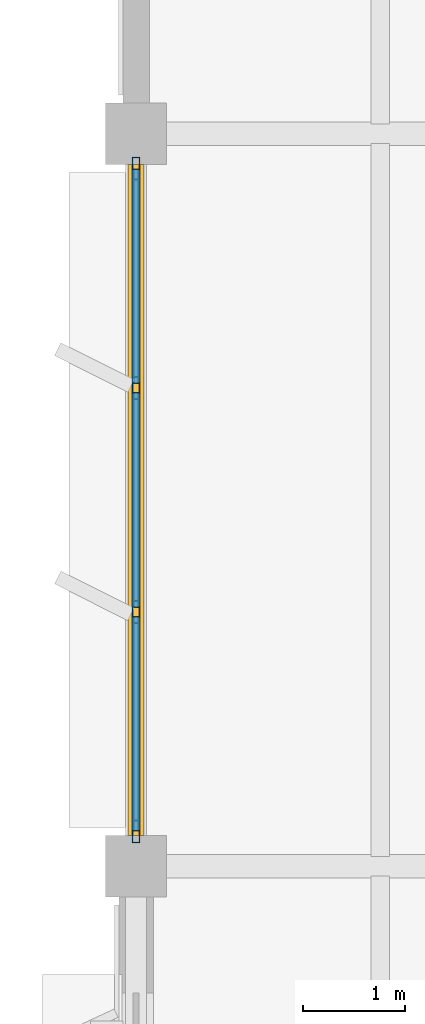
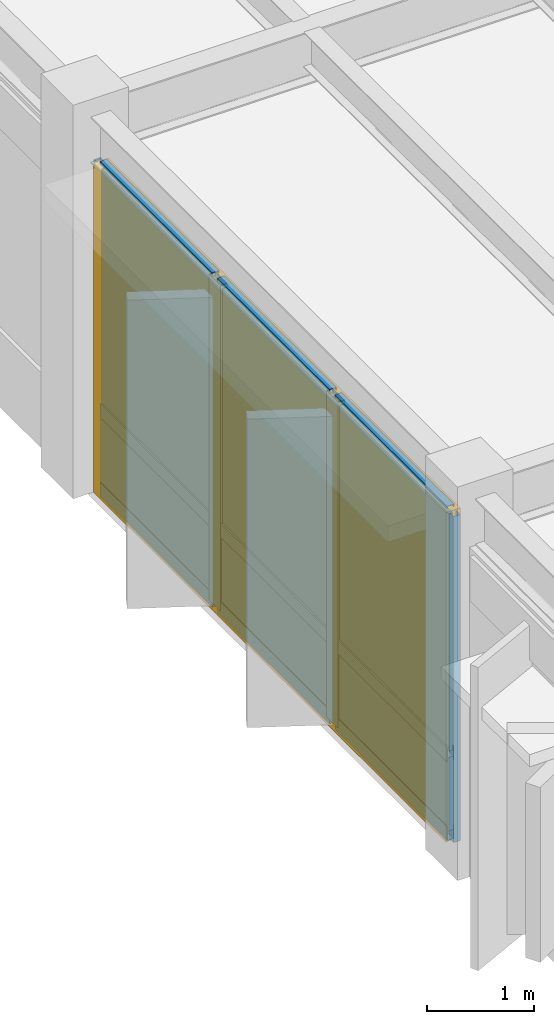
# One storey, part 51 of 92: 13 members, 6 plates, 1 curtain wall.
"""IFC4 building model written with IfcOpenShell, lengths in metres."""

from ifc_helpers import new_model, si_unit, direction, frame, origin, origin_2d, place, context, subcontext, project, spatial, rectangle, hollow_rectangle, extrude, material, layer, layer_set, material_profile, profile_set, type_object, element, aggregate, save


model = new_model("IFC4")

# Units and contexts
model_context = context("Model", 3, precision=1e-05, world=origin(), true_north=direction((0.0, 1.0)))
body_context = subcontext(model_context, "Body", "Model", "MODEL_VIEW")
ifc_project = project(units=[si_unit("LENGTHUNIT", "METRE"), si_unit("AREAUNIT", "SQUARE_METRE"), si_unit("VOLUMEUNIT", "CUBIC_METRE"), si_unit("PLANEANGLEUNIT", "RADIAN"), si_unit("MASSUNIT", "GRAM", prefix="KILO")], contexts=[model_context])

# Member
ifc_material_1 = material(Name="Anodized Aluminium 6063-T6", Category="aluminium")
ifc_material_profile_1 = material_profile(ifc_material_1, hollow_rectangle(XDim=0.074951171875, YDim=0.219970703125, WallThickness=0.0048828125, at=origin_2d()), Name="ALU 75x220x5")
ifc_profile_set_1 = profile_set([ifc_material_profile_1], Name="Anodized Aluminium 6063-T6")
member_type_1 = type_object("IfcMemberType", Name="CWM-75X180", PredefinedType="MULLION", material=ifc_profile_set_1)
site_placement = place(None, origin())
building_placement = place(site_placement, origin())
storey_placement = place(building_placement, frame((0.0, 0.0, 5.39990234375)))
member_1_placement = place(storey_placement, frame((7.199951171875, 50.739990234375, 0.02001953125), z_axis=(0.0, 0.0, 1.0), x_axis=(1.0, 0.0, 0.0)))
member_1 = element("IfcMember", 1, at=member_1_placement, type_object=member_type_1, Name="Curtain wall mullion CW-L02-01-07-W-00", PredefinedType="MULLION", context=body_context, shape_type="SweptSolid", body=[
    extrude(hollow_rectangle(XDim=0.074951171875, YDim=0.219970703125, WallThickness=0.0048828125, at=origin_2d()), origin(), (0.0, 0.0, 1.0), 3.72705078125),
])

member_2_placement = place(storey_placement, frame((7.199951171875, 52.89990234375, 0.02001953125), z_axis=(0.0, 0.0, 1.0), x_axis=(1.0, 0.0, 0.0)))
member_2 = element("IfcMember", 2, at=member_2_placement, type_object=member_type_1, Name="Curtain wall mullion CW-L02-01-07-W-01", PredefinedType="MULLION", context=body_context, shape_type="SweptSolid", body=[
    extrude(hollow_rectangle(XDim=0.074951171875, YDim=0.219970703125, WallThickness=0.0048828125, at=origin_2d()), origin(), (0.0, 0.0, 1.0), 3.72705078125),
])

member_3_placement = place(storey_placement, frame((7.199951171875, 55.10009765625, 0.02001953125), z_axis=(0.0, 0.0, 1.0), x_axis=(1.0, 0.0, 0.0)))
member_3 = element("IfcMember", 3, at=member_3_placement, type_object=member_type_1, Name="Curtain wall mullion CW-L02-01-07-W-02", PredefinedType="MULLION", context=body_context, shape_type="SweptSolid", body=[
    extrude(hollow_rectangle(XDim=0.074951171875, YDim=0.219970703125, WallThickness=0.0048828125, at=origin_2d()), origin(), (0.0, 0.0, 1.0), 3.72705078125),
])

member_4_placement = place(storey_placement, frame((7.199951171875, 57.260009765625, 0.02001953125), z_axis=(0.0, 0.0, 1.0), x_axis=(1.0, 0.0, 0.0)))
member_4 = element("IfcMember", 4, at=member_4_placement, type_object=member_type_1, Name="Curtain wall mullion CW-L02-01-07-W-03", PredefinedType="MULLION", context=body_context, shape_type="SweptSolid", body=[
    extrude(hollow_rectangle(XDim=0.074951171875, YDim=0.219970703125, WallThickness=0.0048828125, at=origin_2d()), origin(), (0.0, 0.0, 1.0), 3.72705078125),
])

ifc_material_profile_2 = material_profile(ifc_material_1, hollow_rectangle(XDim=0.074951171875, YDim=0.159912109375, WallThickness=0.00390625, at=origin_2d()), Name="ALU 75x160x4")
ifc_profile_set_2 = profile_set([ifc_material_profile_2], Name="Anodized Aluminium 6063-T6")
member_type_2 = type_object("IfcMemberType", Name="CWT-75X150", PredefinedType="USERDEFINED", material=ifc_profile_set_2)
member_5_placement = place(storey_placement, frame((7.199951171875, 50.75, 0.050048828125), z_axis=(0.0, 1.0, 0.0), x_axis=(-1.0, 0.0, 0.0)))
member_5 = element("IfcMember", 5, at=member_5_placement, type_object=member_type_2, Name="Curtain wall transom CW-L02-01-07-W-1.01", ObjectType="TRANSOM", PredefinedType="USERDEFINED", context=body_context, shape_type="SweptSolid", body=[
    extrude(hollow_rectangle(XDim=0.074951171875, YDim=0.159912109375, WallThickness=0.00390625, at=origin_2d()), origin(), (0.0, 0.0, 1.0), 2.10009765625),
])

member_6_placement = place(storey_placement, frame((7.199951171875, 52.949951171875, 0.050048828125), z_axis=(0.0, 1.0, 0.0), x_axis=(-1.0, 0.0, 0.0)))
member_6 = element("IfcMember", 6, at=member_6_placement, type_object=member_type_2, Name="Curtain wall transom CW-L02-01-07-W-1.02", ObjectType="TRANSOM", PredefinedType="USERDEFINED", context=body_context, shape_type="SweptSolid", body=[
    extrude(hollow_rectangle(XDim=0.074951171875, YDim=0.159912109375, WallThickness=0.00390625, at=origin_2d()), origin(), (0.0, 0.0, 1.0), 2.10009765625),
])

member_7_placement = place(storey_placement, frame((7.199951171875, 55.14990234375, 0.050048828125), z_axis=(0.0, 1.0, 0.0), x_axis=(-1.0, 0.0, 0.0)))
member_7 = element("IfcMember", 7, at=member_7_placement, type_object=member_type_2, Name="Curtain wall transom CW-L02-01-07-W-1.03", ObjectType="TRANSOM", PredefinedType="USERDEFINED", context=body_context, shape_type="SweptSolid", body=[
    extrude(hollow_rectangle(XDim=0.074951171875, YDim=0.159912109375, WallThickness=0.00390625, at=origin_2d()), origin(), (0.0, 0.0, 1.0), 2.10009765625),
])

member_8_placement = place(storey_placement, frame((7.199951171875, 50.75, 0.9501953125), z_axis=(0.0, 1.0, 0.0), x_axis=(-1.0, 0.0, 0.0)))
member_8 = element("IfcMember", 8, at=member_8_placement, type_object=member_type_2, Name="Curtain wall transom CW-L02-01-07-W-2.01", ObjectType="TRANSOM", PredefinedType="USERDEFINED", context=body_context, shape_type="SweptSolid", body=[
    extrude(hollow_rectangle(XDim=0.074951171875, YDim=0.159912109375, WallThickness=0.00390625, at=origin_2d()), origin(), (0.0, 0.0, 1.0), 2.10009765625),
])

member_9_placement = place(storey_placement, frame((7.199951171875, 52.949951171875, 0.9501953125), z_axis=(0.0, 1.0, 0.0), x_axis=(-1.0, 0.0, 0.0)))
member_9 = element("IfcMember", 9, at=member_9_placement, type_object=member_type_2, Name="Curtain wall transom CW-L02-01-07-W-2.02", ObjectType="TRANSOM", PredefinedType="USERDEFINED", context=body_context, shape_type="SweptSolid", body=[
    extrude(hollow_rectangle(XDim=0.074951171875, YDim=0.159912109375, WallThickness=0.00390625, at=origin_2d()), origin(), (0.0, 0.0, 1.0), 2.10009765625),
])

member_10_placement = place(storey_placement, frame((7.199951171875, 55.14990234375, 0.9501953125), z_axis=(0.0, 1.0, 0.0), x_axis=(-1.0, 0.0, 0.0)))
member_10 = element("IfcMember", 10, at=member_10_placement, type_object=member_type_2, Name="Curtain wall transom CW-L02-01-07-W-2.03", ObjectType="TRANSOM", PredefinedType="USERDEFINED", context=body_context, shape_type="SweptSolid", body=[
    extrude(hollow_rectangle(XDim=0.074951171875, YDim=0.159912109375, WallThickness=0.00390625, at=origin_2d()), origin(), (0.0, 0.0, 1.0), 2.10009765625),
])

member_11_placement = place(storey_placement, frame((7.199951171875, 50.75, 3.717041015625), z_axis=(0.0, 1.0, 0.0), x_axis=(-1.0, 0.0, 0.0)))
member_11 = element("IfcMember", 11, at=member_11_placement, type_object=member_type_2, Name="Curtain wall transom CW-L02-01-07-W-3.01", ObjectType="TRANSOM", PredefinedType="USERDEFINED", context=body_context, shape_type="SweptSolid", body=[
    extrude(hollow_rectangle(XDim=0.074951171875, YDim=0.159912109375, WallThickness=0.00390625, at=origin_2d()), origin(), (0.0, 0.0, 1.0), 2.10009765625),
])

member_12_placement = place(storey_placement, frame((7.199951171875, 52.949951171875, 3.717041015625), z_axis=(0.0, 1.0, 0.0), x_axis=(-1.0, 0.0, 0.0)))
member_12 = element("IfcMember", 12, at=member_12_placement, type_object=member_type_2, Name="Curtain wall transom CW-L02-01-07-W-3.02", ObjectType="TRANSOM", PredefinedType="USERDEFINED", context=body_context, shape_type="SweptSolid", body=[
    extrude(hollow_rectangle(XDim=0.074951171875, YDim=0.159912109375, WallThickness=0.00390625, at=origin_2d()), origin(), (0.0, 0.0, 1.0), 2.10009765625),
])

member_13_placement = place(storey_placement, frame((7.199951171875, 55.14990234375, 3.717041015625), z_axis=(0.0, 1.0, 0.0), x_axis=(-1.0, 0.0, 0.0)))
member_13 = element("IfcMember", 13, at=member_13_placement, type_object=member_type_2, Name="Curtain wall transom CW-L02-01-07-W-3.03", ObjectType="TRANSOM", PredefinedType="USERDEFINED", context=body_context, shape_type="SweptSolid", body=[
    extrude(hollow_rectangle(XDim=0.074951171875, YDim=0.159912109375, WallThickness=0.00390625, at=origin_2d()), origin(), (0.0, 0.0, 1.0), 2.10009765625),
])

# Plate
ifc_material_2 = material(Name="Acoustic Laminated Low-E Glazing", Category="glass")
ifc_layer_1 = layer(ifc_material_2, 0.0439453125)
ifc_layer_set_1 = layer_set([ifc_layer_1], Name="Acoustic Laminated Low-E Glazing")
plate_type_1 = type_object("IfcPlateType", Name="CWP-IGU-44", PredefinedType="CURTAIN_PANEL", material=ifc_layer_set_1)
plate_1_placement = place(storey_placement, frame((7.199951171875, 51.800048828125, 0.990234375), z_axis=(0.0, 0.0, 1.0), x_axis=(0.0, 1.0, 0.0)))
plate_1 = element("IfcPlate", 14, at=plate_1_placement, type_object=plate_type_1, Name="Curtain wall vision glazing CW-L02-01-07-W-01", PredefinedType="CURTAIN_PANEL", context=body_context, shape_type="SweptSolid", body=[
    extrude(rectangle(XDim=2.110107421875, YDim=0.0400390625, at=origin_2d()), origin(), (0.0, 0.0, 1.0), 2.717041015625),
])

plate_2_placement = place(storey_placement, frame((7.199951171875, 54.0, 0.990234375), z_axis=(0.0, 0.0, 1.0), x_axis=(0.0, 1.0, 0.0)))
plate_2 = element("IfcPlate", 15, at=plate_2_placement, type_object=plate_type_1, Name="Curtain wall vision glazing CW-L02-01-07-W-02", PredefinedType="CURTAIN_PANEL", context=body_context, shape_type="SweptSolid", body=[
    extrude(rectangle(XDim=2.110107421875, YDim=0.0400390625, at=origin_2d()), origin(), (0.0, 0.0, 1.0), 2.717041015625),
])

plate_3_placement = place(storey_placement, frame((7.199951171875, 56.199951171875, 0.990234375), z_axis=(0.0, 0.0, 1.0), x_axis=(0.0, 1.0, 0.0)))
plate_3 = element("IfcPlate", 16, at=plate_3_placement, type_object=plate_type_1, Name="Curtain wall vision glazing CW-L02-01-07-W-03", PredefinedType="CURTAIN_PANEL", context=body_context, shape_type="SweptSolid", body=[
    extrude(rectangle(XDim=2.110107421875, YDim=0.0400390625, at=origin_2d()), origin(), (0.0, 0.0, 1.0), 2.717041015625),
])

ifc_material_3 = material(Name="Insulated Stone-Composite Spandrel", Category="masonry")
ifc_layer_2 = layer(ifc_material_3, 0.068115234375)
ifc_layer_set_2 = layer_set([ifc_layer_2], Name="Insulated Stone-Composite Spandrel")
plate_type_2 = type_object("IfcPlateType", Name="CWP-SPN-68", PredefinedType="CURTAIN_PANEL", material=ifc_layer_set_2)
plate_4_placement = place(storey_placement, frame((7.199951171875, 51.800048828125, 0.080078125), z_axis=(0.0, 0.0, 1.0), x_axis=(0.0, 1.0, 0.0)))
plate_4 = element("IfcPlate", 17, at=plate_4_placement, type_object=plate_type_2, Name="Curtain wall spandrel panel CW-L02-01-07-W-01", PredefinedType="CURTAIN_PANEL", context=body_context, shape_type="SweptSolid", body=[
    extrude(rectangle(XDim=2.110107421875, YDim=0.06005859375, at=origin_2d()), origin(), (0.0, 0.0, 1.0), 0.840087890625),
])

plate_5_placement = place(storey_placement, frame((7.199951171875, 54.0, 0.080078125), z_axis=(0.0, 0.0, 1.0), x_axis=(0.0, 1.0, 0.0)))
plate_5 = element("IfcPlate", 18, at=plate_5_placement, type_object=plate_type_2, Name="Curtain wall spandrel panel CW-L02-01-07-W-02", PredefinedType="CURTAIN_PANEL", context=body_context, shape_type="SweptSolid", body=[
    extrude(rectangle(XDim=2.110107421875, YDim=0.06005859375, at=origin_2d()), origin(), (0.0, 0.0, 1.0), 0.840087890625),
])

plate_6_placement = place(storey_placement, frame((7.199951171875, 56.199951171875, 0.080078125), z_axis=(0.0, 0.0, 1.0), x_axis=(0.0, 1.0, 0.0)))
plate_6 = element("IfcPlate", 19, at=plate_6_placement, type_object=plate_type_2, Name="Curtain wall spandrel panel CW-L02-01-07-W-03", PredefinedType="CURTAIN_PANEL", context=body_context, shape_type="SweptSolid", body=[
    extrude(rectangle(XDim=2.110107421875, YDim=0.06005859375, at=origin_2d()), origin(), (0.0, 0.0, 1.0), 0.840087890625),
])

# Site, building, storey
site = spatial("IfcSite", under=ifc_project, at=site_placement, CompositionType="ELEMENT")
building = spatial("IfcBuilding", under=site, at=building_placement, Name="Sillqori Civic Hall", CompositionType="ELEMENT")
storey = spatial("IfcBuildingStorey", under=building, at=storey_placement, Name="L02", CompositionType="ELEMENT", Elevation=5.39990234375)

# Curtain wall
ifc_material_4 = material(Name="Anodized Aluminium Curtain Wall System", Category="aluminium")
curtain_wall_type = type_object("IfcCurtainWallType", Name="CW-GL-430", PredefinedType="NOTDEFINED", material=ifc_material_4)
curtain_wall_placement = place(storey_placement, frame((7.199951171875, 54.0, 0.0), z_axis=(0.0, 0.0, 1.0), x_axis=(0.0, 1.0, 0.0)))
curtain_wall = element("IfcCurtainWall", 20, at=curtain_wall_placement, inside=storey, type_object=curtain_wall_type, Name="L02 unitised curtain wall CW-L02-01-07-W", PredefinedType="NOTDEFINED", context=body_context, shape_type="SweptSolid", body=[
    extrude(rectangle(XDim=6.60009765625, YDim=0.159912109375, at=origin_2d()), origin(), (0.0, 0.0, 1.0), 3.76708984375),
])

aggregate(curtain_wall, [member_1, member_2, member_3, member_4, member_5, member_6, member_7, member_8, member_9, member_10, member_11, member_12, member_13, plate_4, plate_1, plate_5, plate_2, plate_6, plate_3])

save(model, "model.ifc")
